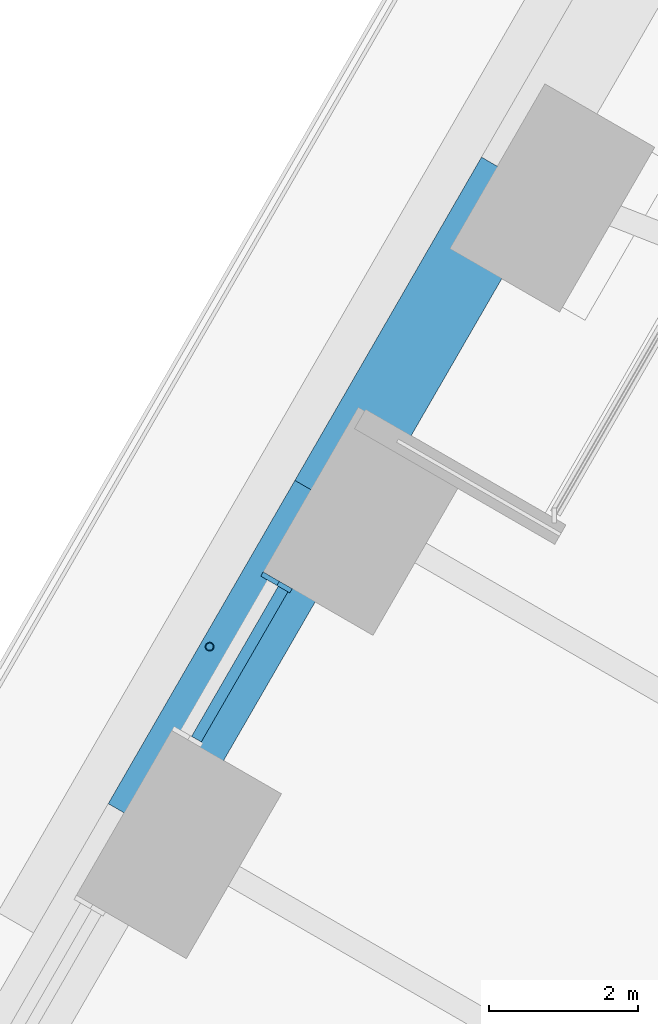
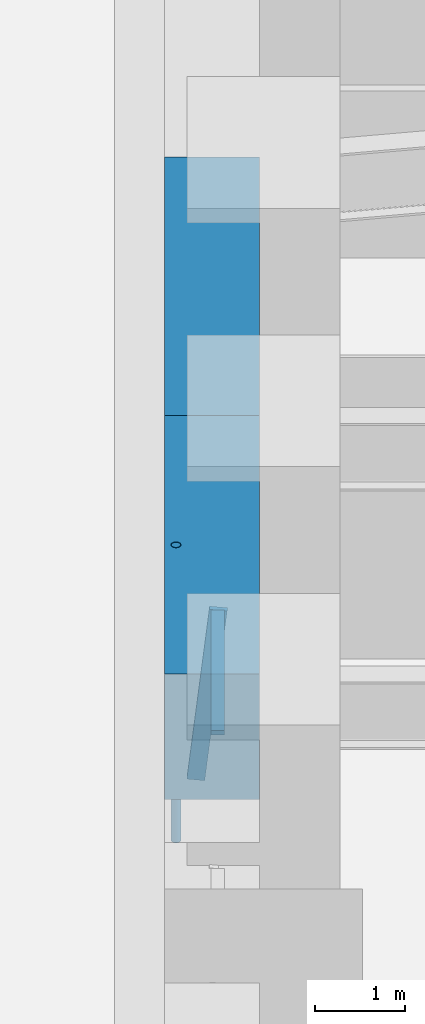
# One storey, part 7 of 24: 3 members, 2 beams, 1 element without a shape of its own.
"""IFC4 building model written with IfcOpenShell, lengths in metres."""

from ifc_helpers import new_model, si_unit, direction, frame, origin, origin_2d, place, context, subcontext, project, spatial, rectangle, hollow_circle, extrude, material, material_profile, profile_set, type_object, element, aggregate, save


model = new_model("IFC4")

# Units and contexts
model_context = context("Model", 3, precision=1e-05, world=origin(), true_north=direction((0.0, 1.0)))
body_context = subcontext(model_context, "Body", "Model", "MODEL_VIEW")
ifc_project = project(units=[si_unit("LENGTHUNIT", "METRE"), si_unit("AREAUNIT", "SQUARE_METRE"), si_unit("VOLUMEUNIT", "CUBIC_METRE"), si_unit("PLANEANGLEUNIT", "RADIAN"), si_unit("MASSUNIT", "GRAM", prefix="KILO")], contexts=[model_context])

# Site, building, storey
site_placement = place(None, origin())
site = spatial("IfcSite", under=ifc_project, at=site_placement, CompositionType="ELEMENT")
building_placement = place(site_placement, origin())
building = spatial("IfcBuilding", under=site, at=building_placement, Name="Tarfa Lantern Tower", CompositionType="ELEMENT")
storey_placement = place(building_placement, frame((0.0, 0.0, 119.5)))
storey = spatial("IfcBuildingStorey", under=building, at=storey_placement, Name="L26", CompositionType="ELEMENT", Elevation=119.5)

# Curtain wall, members
ifc_material_1 = material(Name="Aluminium framed curtain wall", Category="aluminium")
curtain_wall_type = type_object("IfcCurtainWallType", Name="CW2 CANTED GLAZING MID ZONE 2300", PredefinedType="USERDEFINED", material=ifc_material_1)
curtain_wall_placement = place(storey_placement, origin())
curtain_wall = element("IfcCurtainWall", 1, at=curtain_wall_placement, inside=storey, type_object=curtain_wall_type, Name="CW2 NWB L26", ObjectType="CURTAIN WALL", PredefinedType="USERDEFINED")
ifc_material_2 = material(Name="Aluminium mullion", Category="aluminium")
ifc_material_profile_1 = material_profile(ifc_material_2, rectangle(XDim=0.06494140625, YDim=0.199951171875, at=origin_2d()), Name="AL MULLION 65x200")
ifc_profile_set_1 = profile_set([ifc_material_profile_1], Name="Aluminium mullion")
member_type_1 = type_object("IfcMemberType", Name="CWM1 MULLION 65x200", PredefinedType="MULLION", material=ifc_profile_set_1)
member_1_placement = place(storey_placement, frame((-30.348876953125, 10.234375, 0.0), z_axis=(0.093599904765, -0.0540283554, 0.994142844183), x_axis=(0.499919672301, 0.866071776036, 0.0)))
member_1 = element("IfcMember", 2, at=member_1_placement, type_object=member_type_1, Name="CW2 mullion 1", PredefinedType="MULLION", context=body_context, shape_type="SweptSolid", body=[
    extrude(rectangle(XDim=0.06494140625, YDim=0.199951171875, at=origin_2d()), origin(), (0.0, 0.0, 1.0), 2.313720703125),
])
ifc_material_3 = material(Name="Aluminium transom", Category="aluminium")
ifc_material_profile_2 = material_profile(ifc_material_3, rectangle(XDim=0.14990234375, YDim=0.06494140625, at=origin_2d()), Name="AL TRANSOM 150x65")
ifc_profile_set_2 = profile_set([ifc_material_profile_2], Name="Aluminium transom")
member_type_2 = type_object("IfcMemberType", Name="CWT1 TRANSOM 150x65", PredefinedType="USERDEFINED", material=ifc_profile_set_2)
member_2_placement = place(storey_placement, frame((-30.151611328125, 10.0830078125, 2.267578125), z_axis=(-0.499992256698, -0.866029874336, 0.0), x_axis=(0.866029874336, -0.499992256698, 0.0)))
member_2 = element("IfcMember", 3, at=member_2_placement, type_object=member_type_2, Name="CW2 transom 1.2", ObjectType="TRANSOM", PredefinedType="USERDEFINED", context=body_context, shape_type="SweptSolid", body=[
    extrude(rectangle(XDim=0.14990234375, YDim=0.06494140625, at=origin_2d()), origin(), (0.0, 0.0, 1.0), 2.32373046875),
])
aggregate(curtain_wall, [member_1, member_2])

# Beams
ifc_material_4 = material(Name="Concrete C80/95", Category="concrete")
ifc_material_profile_3 = material_profile(ifc_material_4, rectangle(XDim=1.050048828125, YDim=1.699951171875, at=origin_2d()), Name="RC 1050x1700")
ifc_profile_set_3 = profile_set([ifc_material_profile_3], Name="Concrete C80/95")
beam_type = type_object("IfcBeamType", Name="RB2 RC 1050x1700", PredefinedType="BEAM", material=ifc_profile_set_3)
for number, where, z_axis, x_axis, name in (
    (4, (-27.037353515625, 15.610107421875, 3.14990234375), (-0.499964603504, -0.866045838996, 0.0), (0.866045838996, -0.499964603504, 0.0), "Edge beam NW3"),
    (5, (-29.5390625, 11.276611328125, 3.14990234375), (-0.500022324899, -0.866012514114, 0.0), (0.866012514114, -0.500022324899, 0.0), "Edge beam NW4"),
):
    element("IfcBeam", number, at=place(storey_placement, frame(where, z_axis=z_axis, x_axis=x_axis)), inside=storey, type_object=beam_type, Name=name, PredefinedType="BEAM", context=body_context, shape_type="SweptSolid", body=[
        extrude(rectangle(XDim=1.050048828125, YDim=1.699951171875, at=origin_2d()), origin(), (0.0, 0.0, 1.0), 5.003662109375),
    ])

# Member
ifc_material_5 = material(Name="Steel S355", Category="steel")
ifc_material_profile_4 = material_profile(ifc_material_5, hollow_circle(Radius=0.05712890625, WallThickness=0.00634765625, at=origin_2d()), Name="CHS114.3x6.3")
ifc_profile_set_4 = profile_set([ifc_material_profile_4], Name="Steel S355")
member_type_3 = type_object("IfcMemberType", Name="TR1 GREEN WALL TRELLIS CHS114.3x6.3", PredefinedType="USERDEFINED", material=ifc_profile_set_4)
member_3_placement = place(storey_placement, frame((-31.136474609375, 9.31005859375, 0.0), z_axis=(0.0, 0.0, 1.0), x_axis=(1.0, 0.0, 0.0)))
element("IfcMember", 6, at=member_3_placement, inside=storey, type_object=member_type_3, Name="Trellis post NW 2", ObjectType="TRELLIS", PredefinedType="USERDEFINED", context=body_context, shape_type="SweptSolid", body=[
    extrude(hollow_circle(Radius=0.05712890625, WallThickness=0.00634765625, at=origin_2d()), origin(), (0.0, 0.0, 1.0), 4.0),
])

save(model, "model.ifc")
